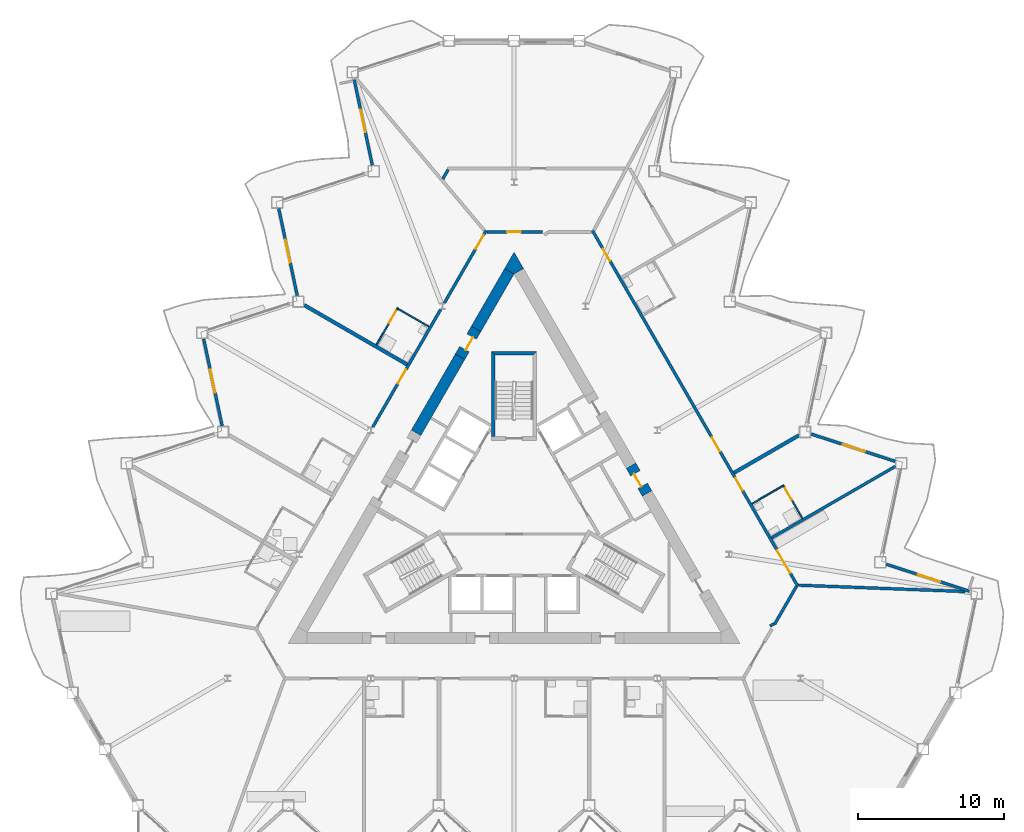
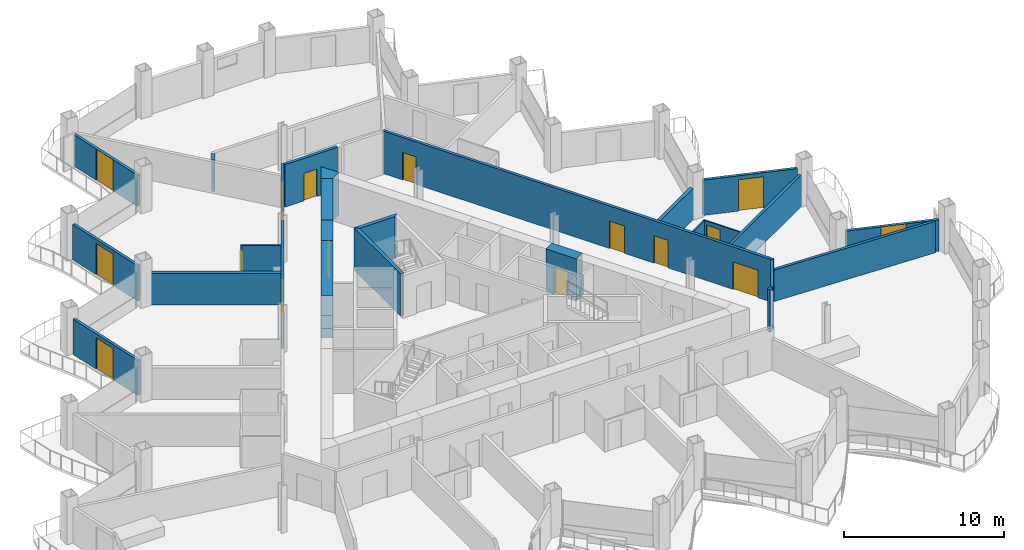
# One storey, part 14 of 23: 27 walls, 16 doors, 16 openings.
"""IFC4 building model written with IfcOpenShell, lengths in metres."""

from ifc_helpers import new_model, si_unit, direction, frame, frame_2d, origin, place, context, subcontext, project, spatial, polyline, rectangle, outline, extrude, material, layer, layer_set, type_object, element, fill, save


model = new_model("IFC4")

# Units and contexts
model_context = context("Model", 3, precision=1e-05, world=origin(), true_north=direction((0.0, 1.0)))
body_context = subcontext(model_context, "Body", "Model", "MODEL_VIEW")
ifc_project = project(units=[si_unit("LENGTHUNIT", "METRE"), si_unit("AREAUNIT", "SQUARE_METRE"), si_unit("VOLUMEUNIT", "CUBIC_METRE"), si_unit("PLANEANGLEUNIT", "RADIAN"), si_unit("MASSUNIT", "GRAM", prefix="KILO")], contexts=[model_context])

# Site, building, storey
site_placement = place(None, origin())
site = spatial("IfcSite", under=ifc_project, at=site_placement, CompositionType="ELEMENT")
building_placement = place(site_placement, origin())
building = spatial("IfcBuilding", under=site, at=building_placement, Name="Cormorant Prow Tower", CompositionType="ELEMENT")
storey_placement = place(building_placement, frame((0.0, 0.0, 208.800048828125)))
storey = spatial("IfcBuildingStorey", under=building, at=storey_placement, Name="L46", CompositionType="ELEMENT", Elevation=208.800048828125)

# Walls
ifc_material_1 = material(Name="Concrete 8000 psi", Category="concrete")
ifc_layer_1 = layer(ifc_material_1, 0.75)
ifc_layer_set_1 = layer_set([ifc_layer_1], Name="Concrete 8000 psi")
wall_type_1 = type_object("IfcWallType", Name="Core shear wall 750", PredefinedType="SHEAR", material=ifc_layer_set_1)
wall_1_placement = place(storey_placement, frame((-3.70849609375, 10.724365234375, 0.0), z_axis=(0.0, 0.0, 1.0), x_axis=(-0.500021737671, -0.866012853171, 0.0)))
element("IfcWall", 1, at=wall_1_placement, inside=storey, type_object=wall_type_1, Name="Core wall", PredefinedType="SHEAR", context=body_context, shape_type="SweptSolid", body=[
    extrude(rectangle(XDim=6.025634765625, YDim=0.75, at=frame_2d((3.0126953125, 0.0))), origin(), (0.0, 0.0, 1.0), 3.25),
])
wall_2_placement = place(storey_placement, frame((-0.32470703125, 16.58544921875, 0.0), z_axis=(0.0, 0.0, 1.0), x_axis=(-0.499984617099, -0.866034284924, 0.0)))
element("IfcWall", 2, at=wall_2_placement, inside=storey, type_object=wall_type_1, Name="Core wall", PredefinedType="SHEAR", context=body_context, shape_type="SweptSolid", body=[
    extrude(rectangle(XDim=4.568115234375, YDim=0.75, at=frame_2d((2.2841796875, 0.0))), origin(), (0.0, 0.0, 1.0), 3.25),
])
wall_3_placement = place(storey_placement, origin())
element("IfcWall", 3, at=wall_3_placement, inside=storey, type_object=wall_type_1, Name="Core wall corner", PredefinedType="SHEAR", context=body_context, shape_type="SweptSolid", body=[
    extrude(outline(polyline([(-0.6494140625, 16.77294921875), (0.0, 17.89794921875), (0.6494140625, 16.77294921875), (0.0, 16.39794921875), (-0.6494140625, 16.77294921875)])), origin(), (0.0, 0.0, 1.0), 3.25),
])

# Wall, opening, door
wall_4_placement = place(storey_placement, frame((9.125244140625, 1.342529296875, 0.0), z_axis=(0.0, 0.0, 1.0), x_axis=(-0.499946605688, 0.86605622881, 0.0)))
wall_4 = element("IfcWall", 4, at=wall_4_placement, inside=storey, type_object=wall_type_1, Name="Core wall door panel", PredefinedType="SHEAR", context=body_context, shape_type="SweptSolid", body=[
    extrude(rectangle(XDim=2.199951171875, YDim=0.75, at=frame_2d((1.10009765625, 0.0))), origin(), (0.0, 0.0, 1.0), 3.25),
])
opening_1_placement = place(wall_4_placement, frame((0.60009765625, 0.0, 0.0)))
opening_1 = element("IfcOpeningElement", 5, at=opening_1_placement, cuts=wall_4, Name="Opening L46-C18", PredefinedType="OPENING", context=body_context, shape_type="SweptSolid", body=[
    extrude(rectangle(XDim=1.0, YDim=2.10009765625, at=frame_2d((0.5, 1.050048828125))), frame((0.0, 0.385009765625, 0.0), z_axis=(0.0, -1.0, 0.0), x_axis=(1.0, 0.0, 0.0)), (0.0, 0.0, 1.0), 0.77001953125),
])
ifc_material_2 = material(Name="Painted steel", Category="steel")
door_type_1 = type_object("IfcDoorType", Name="Service door 1000x2100", OperationType="NOTDEFINED", PredefinedType="DOOR", material=ifc_material_2)
door_1_placement = place(opening_1_placement, origin())
door_1 = element("IfcDoor", 6, at=door_1_placement, inside=storey, type_object=door_type_1, Name="Core door, Housekeeping store", OperationType="SINGLE_SWING_LEFT", OverallHeight=2.10009765625, OverallWidth=1.0, PredefinedType="DOOR", context=body_context, shape_type="SweptSolid", body=[
    extrude(rectangle(XDim=1.0, YDim=2.10009765625, at=frame_2d((0.5, 1.050048828125))), frame((0.0, 0.1298828125, 0.0), z_axis=(0.0, -1.0, 0.0), x_axis=(1.0, 0.0, 0.0)), (0.0, 0.0, 1.0), 0.050048828125),
])
fill(opening_1, door_1)

wall_5_placement = place(storey_placement, frame((-2.608642578125, 12.62939453125, 0.0), z_axis=(0.0, 0.0, 1.0), x_axis=(-0.500077893725, -0.86598042715, 0.0)))
wall_5 = element("IfcWall", 7, at=wall_5_placement, inside=storey, type_object=wall_type_1, Name="Core wall door panel", PredefinedType="SHEAR", context=body_context, shape_type="SweptSolid", body=[
    extrude(rectangle(XDim=2.199951171875, YDim=0.75, at=frame_2d((1.10009765625, 0.0))), origin(), (0.0, 0.0, 1.0), 3.25),
])
opening_2_placement = place(wall_5_placement, frame((0.60009765625, 0.0, 0.0)))
opening_2 = element("IfcOpeningElement", 8, at=opening_2_placement, cuts=wall_5, Name="Opening L46-C21", PredefinedType="OPENING", context=body_context, shape_type="SweptSolid", body=[
    extrude(rectangle(XDim=1.0, YDim=2.10009765625, at=frame_2d((0.5, 1.050048828125))), frame((0.0, 0.385009765625, 0.0), z_axis=(0.0, -1.0, 0.0), x_axis=(1.0, 0.0, 0.0)), (0.0, 0.0, 1.0), 0.77001953125),
])
door_2_placement = place(opening_2_placement, origin())
door_2 = element("IfcDoor", 9, at=door_2_placement, inside=storey, type_object=door_type_1, Name="Core door, Refuse store", OperationType="SINGLE_SWING_RIGHT", OverallHeight=2.10009765625, OverallWidth=1.0, PredefinedType="DOOR", context=body_context, shape_type="SweptSolid", body=[
    extrude(rectangle(XDim=1.0, YDim=2.10009765625, at=frame_2d((0.5, 1.050048828125))), frame((0.0, 0.1298828125, 0.0), z_axis=(0.0, -1.0, 0.0), x_axis=(1.0, 0.0, 0.0)), (0.0, 0.0, 1.0), 0.050048828125),
])
fill(opening_2, door_2)

# Wall, openings, doors
ifc_material_3 = material(Name="Gypsum board corridor wall")
ifc_layer_2 = layer(ifc_material_3, 0.199951171875)
ifc_layer_set_2 = layer_set([ifc_layer_2], Name="Gypsum board corridor wall")
wall_type_2 = type_object("IfcWallType", Name="Corridor wall 200", PredefinedType="PARTITIONING", material=ifc_layer_set_2)
wall_6_placement = place(storey_placement, frame((5.377197265625, 19.384521484375, 0.0), z_axis=(0.0, 0.0, 1.0), x_axis=(0.500000757641, -0.86602496636, 0.0)))
wall_6 = element("IfcWall", 10, at=wall_6_placement, inside=storey, type_object=wall_type_2, Name="Corridor wall", PredefinedType="PARTITIONING", context=body_context, shape_type="SweptSolid", body=[
    extrude(rectangle(XDim=28.19775390625, YDim=0.199951171875, at=frame_2d((14.098876953125, 0.0))), origin(), (0.0, 0.0, 1.0), 3.25),
])
opening_3_placement = place(wall_6_placement, frame((25.3447265625, 0.0, 0.0)))
opening_3 = element("IfcOpeningElement", 11, at=opening_3_placement, cuts=wall_6, Name="Opening L46-F10", PredefinedType="OPENING", context=body_context, shape_type="SweptSolid", body=[
    extrude(rectangle(XDim=1.800048828125, YDim=2.10009765625, at=frame_2d((0.89990234375, 1.050048828125))), frame((0.0, 0.10986328125, 0.0), z_axis=(0.0, -1.0, 0.0), x_axis=(1.0, 0.0, 0.0)), (0.0, 0.0, 1.0), 0.219970703125),
])
opening_4_placement = place(wall_6_placement, frame((19.620849609375, 0.0, 0.0)))
opening_4 = element("IfcOpeningElement", 12, at=opening_4_placement, cuts=wall_6, Name="Opening L46-F11", PredefinedType="OPENING", context=body_context, shape_type="SweptSolid", body=[
    extrude(rectangle(XDim=1.0, YDim=2.10009765625, at=frame_2d((0.5, 1.050048828125))), frame((0.0, 0.10986328125, 0.0), z_axis=(0.0, -1.0, 0.0), x_axis=(1.0, 0.0, 0.0)), (0.0, 0.0, 1.0), 0.219970703125),
])
opening_5_placement = place(wall_6_placement, frame((16.409423828125, 0.0, 0.0)))
opening_5 = element("IfcOpeningElement", 13, at=opening_5_placement, cuts=wall_6, Name="Opening L46-F13", PredefinedType="OPENING", context=body_context, shape_type="SweptSolid", body=[
    extrude(rectangle(XDim=1.10009765625, YDim=2.10009765625, at=frame_2d((0.550048828125, 1.050048828125))), frame((0.0, 0.10986328125, 0.0), z_axis=(0.0, -1.0, 0.0), x_axis=(1.0, 0.0, 0.0)), (0.0, 0.0, 1.0), 0.219970703125),
])
opening_6_placement = place(wall_6_placement, frame((1.4521484375, 0.0, 0.0)))
opening_6 = element("IfcOpeningElement", 14, at=opening_6_placement, cuts=wall_6, Name="Opening L46-F15", PredefinedType="OPENING", context=body_context, shape_type="SweptSolid", body=[
    extrude(rectangle(XDim=0.949951171875, YDim=2.10009765625, at=frame_2d((0.47509765625, 1.050048828125))), frame((0.0, 0.10986328125, 0.0), z_axis=(0.0, -1.0, 0.0), x_axis=(1.0, 0.0, 0.0)), (0.0, 0.0, 1.0), 0.219970703125),
])
ifc_material_4 = material(Name="Timber door leaf", Category="wood")
door_type_2 = type_object("IfcDoorType", Name="Double door 1800x2100", OperationType="DOUBLE_DOOR_SINGLE_SWING", PredefinedType="DOOR", material=ifc_material_4)
door_3_placement = place(opening_3_placement, origin())
door_3 = element("IfcDoor", 15, at=door_3_placement, inside=storey, type_object=door_type_2, Name="Library lounge door", OperationType="DOUBLE_DOOR_SINGLE_SWING", OverallHeight=2.10009765625, OverallWidth=1.800048828125, PredefinedType="DOOR", context=body_context, shape_type="SweptSolid", body=[
    extrude(rectangle(XDim=1.800048828125, YDim=2.10009765625, at=frame_2d((0.89990234375, 1.050048828125))), frame((0.0, 0.02490234375, 0.0), z_axis=(0.0, -1.0, 0.0), x_axis=(1.0, 0.0, 0.0)), (0.0, 0.0, 1.0), 0.050048828125),
])
fill(opening_3, door_3)
ifc_material_5 = material(Name="Timber door leaf", Category="wood")
door_type_3 = type_object("IfcDoorType", Name="Flat or room entrance door 1000x2100", OperationType="NOTDEFINED", PredefinedType="DOOR", material=ifc_material_5)
door_4_placement = place(opening_4_placement, origin())
door_4 = element("IfcDoor", 16, at=door_4_placement, inside=storey, type_object=door_type_3, Name="Guest room door", OperationType="SINGLE_SWING_LEFT", OverallHeight=2.10009765625, OverallWidth=1.0, PredefinedType="DOOR", context=body_context, shape_type="SweptSolid", body=[
    extrude(rectangle(XDim=1.0, YDim=2.10009765625, at=frame_2d((0.5, 1.050048828125))), frame((0.0, 0.02490234375, 0.0), z_axis=(0.0, -1.0, 0.0), x_axis=(1.0, 0.0, 0.0)), (0.0, 0.0, 1.0), 0.050048828125),
])
fill(opening_4, door_4)
ifc_material_6 = material(Name="Timber door leaf", Category="wood")
door_type_4 = type_object("IfcDoorType", Name="Store door 950x2100", OperationType="NOTDEFINED", PredefinedType="DOOR", material=ifc_material_6)
door_5_placement = place(opening_6_placement, origin())
door_5 = element("IfcDoor", 17, at=door_5_placement, inside=storey, type_object=door_type_4, Name="Housekeeping room door", OperationType="SINGLE_SWING_LEFT", OverallHeight=2.10009765625, OverallWidth=0.949951171875, PredefinedType="DOOR", context=body_context, shape_type="SweptSolid", body=[
    extrude(rectangle(XDim=0.949951171875, YDim=2.10009765625, at=frame_2d((0.47509765625, 1.050048828125))), frame((0.0, 0.02490234375, 0.0), z_axis=(0.0, -1.0, 0.0), x_axis=(1.0, 0.0, 0.0)), (0.0, 0.0, 1.0), 0.050048828125),
])
fill(opening_6, door_5)
ifc_material_7 = material(Name="Timber door leaf", Category="wood")
door_type_5 = type_object("IfcDoorType", Name="Suite entrance door 1100x2100", OperationType="NOTDEFINED", PredefinedType="DOOR", material=ifc_material_7)
door_6_placement = place(opening_5_placement, origin())
door_6 = element("IfcDoor", 18, at=door_6_placement, inside=storey, type_object=door_type_5, Name="Executive suite bedroom door", OperationType="SINGLE_SWING_RIGHT", OverallHeight=2.10009765625, OverallWidth=1.10009765625, PredefinedType="DOOR", context=body_context, shape_type="SweptSolid", body=[
    extrude(rectangle(XDim=1.10009765625, YDim=2.10009765625, at=frame_2d((0.550048828125, 1.050048828125))), frame((0.0, 0.02490234375, 0.0), z_axis=(0.0, -1.0, 0.0), x_axis=(1.0, 0.0, 0.0)), (0.0, 0.0, 1.0), 0.050048828125),
])
fill(opening_5, door_6)

# Wall, opening, door
wall_7_placement = place(storey_placement, frame((-9.705078125, 5.88818359375, 0.0), z_axis=(0.0, 0.0, 1.0), x_axis=(0.50000393355, 0.866023132736, 0.0)))
wall_7 = element("IfcWall", 19, at=wall_7_placement, inside=storey, type_object=wall_type_2, Name="Corridor wall", PredefinedType="PARTITIONING", context=body_context, shape_type="SweptSolid", body=[
    extrude(rectangle(XDim=9.3349609375, YDim=0.199951171875, at=frame_2d((4.66748046875, 0.0))), origin(), (0.0, 0.0, 1.0), 3.25),
])
opening_7_placement = place(wall_7_placement, frame((3.464599609375, 0.0, 0.0)))
opening_7 = element("IfcOpeningElement", 20, at=opening_7_placement, cuts=wall_7, Name="Opening L46-F21", PredefinedType="OPENING", context=body_context, shape_type="SweptSolid", body=[
    extrude(rectangle(XDim=1.10009765625, YDim=2.10009765625, at=frame_2d((0.550048828125, 1.050048828125))), frame((0.0, 0.10986328125, 0.0), z_axis=(0.0, -1.0, 0.0), x_axis=(1.0, 0.0, 0.0)), (0.0, 0.0, 1.0), 0.219970703125),
])
door_7_placement = place(opening_7_placement, origin())
door_7 = element("IfcDoor", 21, at=door_7_placement, inside=storey, type_object=door_type_5, Name="Junior suite door", OperationType="SINGLE_SWING_RIGHT", OverallHeight=2.10009765625, OverallWidth=1.10009765625, PredefinedType="DOOR", context=body_context, shape_type="SweptSolid", body=[
    extrude(rectangle(XDim=1.10009765625, YDim=2.10009765625, at=frame_2d((0.550048828125, 1.050048828125))), frame((0.0, 0.02490234375, 0.0), z_axis=(0.0, -1.0, 0.0), x_axis=(1.0, 0.0, 0.0)), (0.0, 0.0, 1.0), 0.050048828125),
])
fill(opening_7, door_7)

wall_8_placement = place(storey_placement, frame((-4.791015625, 14.39990234375, 0.0), z_axis=(0.0, 0.0, 1.0), x_axis=(0.50000762079, 0.866021003874, 0.0)))
wall_8 = element("IfcWall", 22, at=wall_8_placement, inside=storey, type_object=wall_type_2, Name="Corridor wall", PredefinedType="PARTITIONING", context=body_context, shape_type="SweptSolid", body=[
    extrude(rectangle(XDim=5.755859375, YDim=0.199951171875, at=frame_2d((2.8779296875, 0.0))), origin(), (0.0, 0.0, 1.0), 3.25),
])
opening_8_placement = place(wall_8_placement, frame((4.304443359375, 0.0, 0.0)))
opening_8 = element("IfcOpeningElement", 23, at=opening_8_placement, cuts=wall_8, Name="Opening L46-F19", PredefinedType="OPENING", context=body_context, shape_type="SweptSolid", body=[
    extrude(rectangle(XDim=1.10009765625, YDim=2.10009765625, at=frame_2d((0.550048828125, 1.050048828125))), frame((0.0, 0.10986328125, 0.0), z_axis=(0.0, -1.0, 0.0), x_axis=(1.0, 0.0, 0.0)), (0.0, 0.0, 1.0), 0.219970703125),
])
door_8_placement = place(opening_8_placement, origin())
door_8 = element("IfcDoor", 24, at=door_8_placement, inside=storey, type_object=door_type_5, Name="Executive suite bedroom door", OperationType="SINGLE_SWING_RIGHT", OverallHeight=2.10009765625, OverallWidth=1.10009765625, PredefinedType="DOOR", context=body_context, shape_type="SweptSolid", body=[
    extrude(rectangle(XDim=1.10009765625, YDim=2.10009765625, at=frame_2d((0.550048828125, 1.050048828125))), frame((0.0, 0.02490234375, 0.0), z_axis=(0.0, -1.0, 0.0), x_axis=(1.0, 0.0, 0.0)), (0.0, 0.0, 1.0), 0.050048828125),
])
fill(opening_8, door_8)

wall_9_placement = place(storey_placement, frame((-1.863037109375, 19.2978515625, 0.0), z_axis=(0.0, 0.0, 1.0), x_axis=(1.0, 0.0, 0.0)))
wall_9 = element("IfcWall", 25, at=wall_9_placement, inside=storey, type_object=wall_type_2, Name="Corridor wall", PredefinedType="PARTITIONING", context=body_context, shape_type="SweptSolid", body=[
    extrude(rectangle(XDim=3.825927734375, YDim=0.199951171875, at=frame_2d((1.9130859375, 0.0))), origin(), (0.0, 0.0, 1.0), 3.25),
])
opening_9_placement = place(wall_9_placement, frame((1.38623046875, 0.0, 0.0)))
opening_9 = element("IfcOpeningElement", 26, at=opening_9_placement, cuts=wall_9, Name="Opening L46-F17", PredefinedType="OPENING", context=body_context, shape_type="SweptSolid", body=[
    extrude(rectangle(XDim=0.949951171875, YDim=2.10009765625, at=frame_2d((0.47509765625, 1.050048828125))), frame((0.0, 0.10986328125, 0.0), z_axis=(0.0, -1.0, 0.0), x_axis=(1.0, 0.0, 0.0)), (0.0, 0.0, 1.0), 0.219970703125),
])
door_9_placement = place(opening_9_placement, origin())
door_9 = element("IfcDoor", 27, at=door_9_placement, inside=storey, type_object=door_type_4, Name="Guest pantry door", OperationType="SINGLE_SWING_LEFT", OverallHeight=2.10009765625, OverallWidth=0.949951171875, PredefinedType="DOOR", context=body_context, shape_type="SweptSolid", body=[
    extrude(rectangle(XDim=0.949951171875, YDim=2.10009765625, at=frame_2d((0.47509765625, 1.050048828125))), frame((0.0, 0.02490234375, 0.0), z_axis=(0.0, -1.0, 0.0), x_axis=(1.0, 0.0, 0.0)), (0.0, 0.0, 1.0), 0.050048828125),
])
fill(opening_9, door_9)

# Walls
wall_10_placement = place(storey_placement, frame((17.875, -7.635498046875, 0.0), z_axis=(0.0, 0.0, 1.0), x_axis=(0.499952404951, 0.866052881055, 0.0)))
element("IfcWall", 28, at=wall_10_placement, inside=storey, type_object=wall_type_2, Name="Corridor wall", PredefinedType="PARTITIONING", context=body_context, shape_type="SweptSolid", body=[
    extrude(rectangle(XDim=3.002197265625, YDim=0.199951171875, at=frame_2d((1.5009765625, 0.0))), origin(), (0.0, 0.0, 1.0), 3.25),
])
wall_11_placement = place(storey_placement, frame((17.56982421875, -7.75390625, 0.0), z_axis=(0.0, 0.0, 1.0), x_axis=(0.866054481515, 0.499949632511, 0.0)))
element("IfcWall", 29, at=wall_11_placement, inside=storey, type_object=wall_type_2, Name="Corridor wall", PredefinedType="PARTITIONING", context=body_context, shape_type="SweptSolid", body=[
    extrude(rectangle(XDim=0.31005859375, YDim=0.199951171875, at=frame_2d((0.155029296875, 0.0))), origin(), (0.0, 0.0, 1.0), 3.25),
])
ifc_material_8 = material(Name="Gypsum board demising wall")
ifc_layer_3 = layer(ifc_material_8, 0.199951171875)
ifc_layer_set_3 = layer_set([ifc_layer_3], Name="Gypsum board demising wall")
wall_type_3 = type_object("IfcWallType", Name="Demising wall 200", PredefinedType="PARTITIONING", material=ifc_layer_set_3)
wall_12_placement = place(storey_placement, frame((19.52587890625, -4.95263671875, 0.0), z_axis=(0.0, 0.0, 1.0), x_axis=(0.999279155663, -0.037962732475, 0.0)))
element("IfcWall", 30, at=wall_12_placement, inside=storey, type_object=wall_type_3, Name="Demising wall", PredefinedType="PARTITIONING", context=body_context, shape_type="SweptSolid", body=[
    extrude(rectangle(XDim=11.421630859375, YDim=0.199951171875, at=frame_2d((5.7109375, 0.0))), origin(), (0.0, 0.0, 1.0), 2.404052734375),
])
wall_13_placement = place(storey_placement, frame((17.668701171875, -1.705322265625, 0.0), z_axis=(0.0, 0.0, 1.0), x_axis=(0.866032243237, 0.499988153533, 0.0)))
element("IfcWall", 31, at=wall_13_placement, inside=storey, type_object=wall_type_3, Name="Demising wall", PredefinedType="PARTITIONING", context=body_context, shape_type="SweptSolid", body=[
    extrude(rectangle(XDim=9.809814453125, YDim=0.199951171875, at=frame_2d((4.90478515625, 0.0))), origin(), (0.0, 0.0, 1.0), 2.404052734375),
])
wall_14_placement = place(storey_placement, frame((-4.893798828125, 22.921630859375, 0.0), z_axis=(0.0, 0.0, 1.0), x_axis=(0.500084850412, 0.865976409834, 0.0)))
element("IfcWall", 32, at=wall_14_placement, inside=storey, type_object=wall_type_3, Name="Demising wall", PredefinedType="PARTITIONING", context=body_context, shape_type="SweptSolid", body=[
    extrude(rectangle(XDim=0.738525390625, YDim=0.199951171875, at=frame_2d((0.369140625, 0.0))), origin(), (0.0, 0.0, 1.0), 2.404052734375),
])

# Wall, opening, door
ifc_material_9 = material(Name="Gypsum board partition")
ifc_layer_4 = layer(ifc_material_9, 0.10009765625)
ifc_layer_set_4 = layer_set([ifc_layer_4], Name="Gypsum board partition")
wall_type_4 = type_object("IfcWallType", Name="Internal partition 100", PredefinedType="PARTITIONING", material=ifc_layer_set_4)
wall_15_placement = place(storey_placement, frame((-9.439697265625, 11.547607421875, 0.0), z_axis=(0.0, 0.0, 1.0), x_axis=(0.499963291492, 0.866046596414, 0.0)))
wall_15 = element("IfcWall", 33, at=wall_15_placement, inside=storey, type_object=wall_type_4, Name="Internal partition", PredefinedType="PARTITIONING", context=body_context, shape_type="SweptSolid", body=[
    extrude(rectangle(XDim=2.925048828125, YDim=0.10009765625, at=frame_2d((1.46240234375, 0.0))), origin(), (0.0, 0.0, 1.0), 2.404052734375),
])
opening_10_placement = place(wall_15_placement, frame((1.72509765625, 0.0, 0.0)))
opening_10 = element("IfcOpeningElement", 34, at=opening_10_placement, cuts=wall_15, Name="Opening L46-F20", PredefinedType="OPENING", context=body_context, shape_type="SweptSolid", body=[
    extrude(rectangle(XDim=0.949951171875, YDim=2.10009765625, at=frame_2d((0.47509765625, 1.050048828125))), frame((0.0, 0.06005859375, 0.0), z_axis=(0.0, -1.0, 0.0), x_axis=(1.0, 0.0, 0.0)), (0.0, 0.0, 1.0), 0.1201171875),
])
ifc_material_10 = material(Name="Timber door leaf", Category="wood")
door_type_6 = type_object("IfcDoorType", Name="Bathroom door 950x2100", OperationType="NOTDEFINED", PredefinedType="DOOR", material=ifc_material_10)
door_10_placement = place(opening_10_placement, origin())
door_10 = element("IfcDoor", 35, at=door_10_placement, inside=storey, type_object=door_type_6, Name="Executive suite bedroom door", OperationType="SINGLE_SWING_RIGHT", OverallHeight=2.10009765625, OverallWidth=0.949951171875, PredefinedType="DOOR", context=body_context, shape_type="SweptSolid", body=[
    extrude(rectangle(XDim=0.949951171875, YDim=2.10009765625, at=frame_2d((0.47509765625, 1.050048828125))), frame((0.0, 0.02490234375, 0.0), z_axis=(0.0, -1.0, 0.0), x_axis=(1.0, 0.0, 0.0)), (0.0, 0.0, 1.0), 0.050048828125),
])
fill(opening_10, door_10)

wall_16_placement = place(storey_placement, frame((18.458740234375, 1.92626953125, 0.0), z_axis=(0.0, 0.0, 1.0), x_axis=(0.499953715521, -0.866052124492, 0.0)))
wall_16 = element("IfcWall", 36, at=wall_16_placement, inside=storey, type_object=wall_type_4, Name="Internal partition", PredefinedType="PARTITIONING", context=body_context, shape_type="SweptSolid", body=[
    extrude(rectangle(XDim=2.650146484375, YDim=0.10009765625, at=frame_2d((1.3251953125, 0.0))), origin(), (0.0, 0.0, 1.0), 2.404052734375),
])
opening_11_placement = place(wall_16_placement, frame((0.25, 0.0, 0.0)))
opening_11 = element("IfcOpeningElement", 37, at=opening_11_placement, cuts=wall_16, Name="Opening L46-F12", PredefinedType="OPENING", context=body_context, shape_type="SweptSolid", body=[
    extrude(rectangle(XDim=0.949951171875, YDim=2.10009765625, at=frame_2d((0.47509765625, 1.050048828125))), frame((0.0, 0.06005859375, 0.0), z_axis=(0.0, -1.0, 0.0), x_axis=(1.0, 0.0, 0.0)), (0.0, 0.0, 1.0), 0.1201171875),
])
door_11_placement = place(opening_11_placement, origin())
door_11 = element("IfcDoor", 38, at=door_11_placement, inside=storey, type_object=door_type_6, Name="Guest room door", OperationType="SINGLE_SWING_LEFT", OverallHeight=2.10009765625, OverallWidth=0.949951171875, PredefinedType="DOOR", context=body_context, shape_type="SweptSolid", body=[
    extrude(rectangle(XDim=0.949951171875, YDim=2.10009765625, at=frame_2d((0.47509765625, 1.050048828125))), frame((0.0, 0.02490234375, 0.0), z_axis=(0.0, -1.0, 0.0), x_axis=(1.0, 0.0, 0.0)), (0.0, 0.0, 1.0), 0.050048828125),
])
fill(opening_11, door_11)

# Walls
for number, where, z_axis, x_axis, name in (
    (39, (16.31884765625, 0.6328125, 0.0), (0.0, 0.0, 1.0), (0.865989751695, 0.500061746146, 0.0), "Internal partition"),
    (40, (-7.958984375, 14.012451171875, 0.0), (0.0, 0.0, 1.0), (0.866057815567, -0.499943856944, 0.0), "Internal partition"),
):
    element("IfcWall", number, at=place(storey_placement, frame(where, z_axis=z_axis, x_axis=x_axis)), inside=storey, type_object=wall_type_4, Name=name, PredefinedType="PARTITIONING", context=body_context, shape_type="SweptSolid", body=[
        extrude(rectangle(XDim=2.449951171875, YDim=0.10009765625, at=frame_2d((1.22509765625, 0.0))), origin(), (0.0, 0.0, 1.0), 2.404052734375),
    ])
ifc_material_11 = material(Name="Concrete 8000 psi", Category="concrete")
ifc_layer_5 = layer(ifc_material_11, 0.25)
ifc_layer_set_5 = layer_set([ifc_layer_5], Name="Concrete 8000 psi")
wall_type_5 = type_object("IfcWallType", Name="Stair wall 250", PredefinedType="SHEAR", material=ifc_layer_set_5)
wall_17_placement = place(storey_placement, origin())
element("IfcWall", 41, at=wall_17_placement, inside=storey, type_object=wall_type_5, Name="Stair ST3 enclosure wall (end)", PredefinedType="SHEAR", context=body_context, shape_type="SweptSolid", body=[
    extrude(outline(polyline([(1.5439453125, 11.0869140625), (-1.5439453125, 11.0869140625), (-1.2939453125, 10.8369140625), (1.2939453125, 10.8369140625), (1.5439453125, 11.0869140625)])), origin(), (0.0, 0.0, 1.0), 3.25),
])
wall_18_placement = place(storey_placement, origin())
element("IfcWall", 42, at=wall_18_placement, inside=storey, type_object=wall_type_5, Name="Stair ST3 enclosure wall (flank)", PredefinedType="SHEAR", context=body_context, shape_type="SweptSolid", body=[
    extrude(outline(polyline([(-1.2939453125, 10.8369140625), (-1.5439453125, 11.0869140625), (-1.5439453125, 5.23681640625), (-1.2939453125, 5.23681640625), (-1.2939453125, 10.8369140625)])), origin(), (0.0, 0.0, 1.0), 3.25),
])
ifc_material_12 = material(Name="Acoustic gypsum party wall")
ifc_layer_6 = layer(ifc_material_12, 0.25)
ifc_layer_set_6 = layer_set([ifc_layer_6], Name="Acoustic gypsum party wall")
wall_type_6 = type_object("IfcWallType", Name="Suite party wall 250", PredefinedType="PARTITIONING", material=ifc_layer_set_6)
wall_19_placement = place(storey_placement, frame((-14.389892578125, 14.26123046875, 0.0), z_axis=(0.0, 0.0, 1.0), x_axis=(0.86603182394, -0.4999888798, 0.0)))
element("IfcWall", 43, at=wall_19_placement, inside=storey, type_object=wall_type_6, Name="Suite party wall", PredefinedType="PARTITIONING", context=body_context, shape_type="SweptSolid", body=[
    extrude(rectangle(XDim=8.143798828125, YDim=0.25, at=frame_2d((4.07177734375, 0.0))), origin(), (0.0, 0.0, 1.0), 2.404052734375),
])
wall_20_placement = place(storey_placement, frame((15.091064453125, 2.759521484375, 0.0), z_axis=(0.0, 0.0, 1.0), x_axis=(0.866019147368, 0.500010836275, 0.0)))
element("IfcWall", 44, at=wall_20_placement, inside=storey, type_object=wall_type_6, Name="Suite party wall", PredefinedType="PARTITIONING", context=body_context, shape_type="SweptSolid", body=[
    extrude(rectangle(XDim=5.154296875, YDim=0.25, at=frame_2d((2.5771484375, 0.0))), origin(), (0.0, 0.0, 1.0), 2.404052734375),
])

# Wall, opening, door
ifc_material_13 = material(Name="Terracotta", Category="masonry")
ifc_layer_7 = layer(ifc_material_13, 0.199951171875)
ifc_layer_set_7 = layer_set([ifc_layer_7], Name="Terracotta")
wall_type_7 = type_object("IfcWallType", Name="Terracotta jamb wall 200", PredefinedType="SOLIDWALL", material=ifc_layer_set_7)
wall_21_placement = place(storey_placement, frame((31.240966796875, -5.36572265625, 0.0), z_axis=(0.0, 0.0, 1.0), x_axis=(-0.951052669354, 0.309028833792, 0.0)))
wall_21 = element("IfcWall", 45, at=wall_21_placement, inside=storey, type_object=wall_type_7, Name="Terracotta jamb wall ENE01", PredefinedType="SOLIDWALL", context=body_context, shape_type="SweptSolid", body=[
    extrude(rectangle(XDim=5.979736328125, YDim=0.199951171875, at=frame_2d((2.98974609375, 0.0))), origin(), (0.0, 0.0, 1.0), 2.404052734375),
])
opening_12_placement = place(wall_21_placement, frame((2.100830078125, 0.0, 0.0)))
opening_12 = element("IfcOpeningElement", 46, at=opening_12_placement, cuts=wall_21, Name="Opening ED46.06", PredefinedType="OPENING", context=body_context, shape_type="SweptSolid", body=[
    extrude(rectangle(XDim=1.60009765625, YDim=2.39990234375, at=frame_2d((0.800048828125, 1.199951171875))), frame((0.0, 0.10986328125, 0.0), z_axis=(0.0, -1.0, 0.0), x_axis=(1.0, 0.0, 0.0)), (0.0, 0.0, 1.0), 0.219970703125),
])
ifc_material_14 = material(Name="Aluminium 6063-T6", Category="aluminium")
door_type_7 = type_object("IfcDoorType", Name="Balcony door 1600x2400", OperationType="DOUBLE_DOOR_SINGLE_SWING", PredefinedType="DOOR", material=ifc_material_14)
door_12_placement = place(opening_12_placement, origin())
door_12 = element("IfcDoor", 47, at=door_12_placement, inside=storey, type_object=door_type_7, Name="Balcony door ENE01 ED46.06", OperationType="DOUBLE_DOOR_SINGLE_SWING", OverallHeight=2.39990234375, OverallWidth=1.60009765625, PredefinedType="DOOR", context=body_context, shape_type="SweptSolid", body=[
    extrude(rectangle(XDim=1.60009765625, YDim=2.39990234375, at=frame_2d((0.800048828125, 1.199951171875))), frame((0.0, 0.02490234375, 0.0), z_axis=(0.0, -1.0, 0.0), x_axis=(1.0, 0.0, 0.0)), (0.0, 0.0, 1.0), 0.050048828125),
])
fill(opening_12, door_12)

wall_22_placement = place(storey_placement, frame((26.1494140625, 3.543212890625, 0.0), z_axis=(0.0, 0.0, 1.0), x_axis=(-0.951054506932, 0.309023178491, 0.0)))
wall_22 = element("IfcWall", 48, at=wall_22_placement, inside=storey, type_object=wall_type_7, Name="Terracotta jamb wall ENE03", PredefinedType="SOLIDWALL", context=body_context, shape_type="SweptSolid", body=[
    extrude(rectangle(XDim=6.056396484375, YDim=0.199951171875, at=frame_2d((3.0283203125, 0.0))), origin(), (0.0, 0.0, 1.0), 2.700927734375),
])
opening_13_placement = place(wall_22_placement, frame((2.168212890625, 0.0, 0.0)))
opening_13 = element("IfcOpeningElement", 49, at=opening_13_placement, cuts=wall_22, Name="Opening ED46.07", PredefinedType="OPENING", context=body_context, shape_type="SweptSolid", body=[
    extrude(rectangle(XDim=1.60009765625, YDim=2.39990234375, at=frame_2d((0.800048828125, 1.199951171875))), frame((0.0, 0.10986328125, 0.0), z_axis=(0.0, -1.0, 0.0), x_axis=(1.0, 0.0, 0.0)), (0.0, 0.0, 1.0), 0.219970703125),
])
door_13_placement = place(opening_13_placement, origin())
door_13 = element("IfcDoor", 50, at=door_13_placement, inside=storey, type_object=door_type_7, Name="Balcony door ENE03 ED46.07", OperationType="DOUBLE_DOOR_SINGLE_SWING", OverallHeight=2.39990234375, OverallWidth=1.60009765625, PredefinedType="DOOR", context=body_context, shape_type="SweptSolid", body=[
    extrude(rectangle(XDim=1.60009765625, YDim=2.39990234375, at=frame_2d((0.800048828125, 1.199951171875))), frame((0.0, 0.02490234375, 0.0), z_axis=(0.0, -1.0, 0.0), x_axis=(1.0, 0.0, 0.0)), (0.0, 0.0, 1.0), 0.050048828125),
])
fill(opening_13, door_13)

wall_23_placement = place(storey_placement, frame((-10.9736328125, 29.73828125, 0.0), z_axis=(0.0, 0.0, 1.0), x_axis=(0.207888934452, -0.978152437472, 0.0)))
wall_23 = element("IfcWall", 51, at=wall_23_placement, inside=storey, type_object=wall_type_7, Name="Terracotta jamb wall WNW01", PredefinedType="SOLIDWALL", context=body_context, shape_type="SweptSolid", body=[
    extrude(rectangle(XDim=5.998779296875, YDim=0.199951171875, at=frame_2d((2.99951171875, 0.0))), origin(), (0.0, 0.0, 1.0), 2.404052734375),
])
opening_14_placement = place(wall_23_placement, frame((2.100830078125, 0.0, 0.0)))
opening_14 = element("IfcOpeningElement", 52, at=opening_14_placement, cuts=wall_23, Name="Opening ED46.11", PredefinedType="OPENING", context=body_context, shape_type="SweptSolid", body=[
    extrude(rectangle(XDim=1.60009765625, YDim=2.39990234375, at=frame_2d((0.800048828125, 1.199951171875))), frame((0.0, 0.10986328125, 0.0), z_axis=(0.0, -1.0, 0.0), x_axis=(1.0, 0.0, 0.0)), (0.0, 0.0, 1.0), 0.219970703125),
])
door_14_placement = place(opening_14_placement, origin())
door_14 = element("IfcDoor", 53, at=door_14_placement, inside=storey, type_object=door_type_7, Name="Balcony door WNW01 ED46.11", OperationType="DOUBLE_DOOR_SINGLE_SWING", OverallHeight=2.39990234375, OverallWidth=1.60009765625, PredefinedType="DOOR", context=body_context, shape_type="SweptSolid", body=[
    extrude(rectangle(XDim=1.60009765625, YDim=2.39990234375, at=frame_2d((0.800048828125, 1.199951171875))), frame((0.0, 0.02490234375, 0.0), z_axis=(0.0, -1.0, 0.0), x_axis=(1.0, 0.0, 0.0)), (0.0, 0.0, 1.0), 0.050048828125),
])
fill(opening_14, door_14)

wall_24_placement = place(storey_placement, frame((-16.146484375, 20.8896484375, 0.0), z_axis=(0.0, 0.0, 1.0), x_axis=(0.207912864597, -0.978147351238, 0.0)))
wall_24 = element("IfcWall", 54, at=wall_24_placement, inside=storey, type_object=wall_type_7, Name="Terracotta jamb wall WNW03", PredefinedType="SOLIDWALL", context=body_context, shape_type="SweptSolid", body=[
    extrude(rectangle(XDim=6.097900390625, YDim=0.199951171875, at=frame_2d((3.048828125, 0.0))), origin(), (0.0, 0.0, 1.0), 2.700927734375),
])
opening_15_placement = place(wall_24_placement, frame((2.183837890625, 0.0, 0.0)))
opening_15 = element("IfcOpeningElement", 55, at=opening_15_placement, cuts=wall_24, Name="Opening ED46.12", PredefinedType="OPENING", context=body_context, shape_type="SweptSolid", body=[
    extrude(rectangle(XDim=1.60009765625, YDim=2.39990234375, at=frame_2d((0.800048828125, 1.199951171875))), frame((0.0, 0.10986328125, 0.0), z_axis=(0.0, -1.0, 0.0), x_axis=(1.0, 0.0, 0.0)), (0.0, 0.0, 1.0), 0.219970703125),
])
door_15_placement = place(opening_15_placement, origin())
door_15 = element("IfcDoor", 56, at=door_15_placement, inside=storey, type_object=door_type_7, Name="Balcony door WNW03 ED46.12", OperationType="DOUBLE_DOOR_SINGLE_SWING", OverallHeight=2.39990234375, OverallWidth=1.60009765625, PredefinedType="DOOR", context=body_context, shape_type="SweptSolid", body=[
    extrude(rectangle(XDim=1.60009765625, YDim=2.39990234375, at=frame_2d((0.800048828125, 1.199951171875))), frame((0.0, 0.02490234375, 0.0), z_axis=(0.0, -1.0, 0.0), x_axis=(1.0, 0.0, 0.0)), (0.0, 0.0, 1.0), 0.050048828125),
])
fill(opening_15, door_15)

wall_25_placement = place(storey_placement, frame((-21.298828125, 11.944091796875, 0.0), z_axis=(0.0, 0.0, 1.0), x_axis=(0.207912864597, -0.978147351238, 0.0)))
wall_25 = element("IfcWall", 57, at=wall_25_placement, inside=storey, type_object=wall_type_7, Name="Terracotta jamb wall WNW05", PredefinedType="SOLIDWALL", context=body_context, shape_type="SweptSolid", body=[
    extrude(rectangle(XDim=6.097900390625, YDim=0.199951171875, at=frame_2d((3.048828125, 0.0))), origin(), (0.0, 0.0, 1.0), 2.700927734375),
])
opening_16_placement = place(wall_25_placement, frame((2.167724609375, 0.0, 0.0)))
opening_16 = element("IfcOpeningElement", 58, at=opening_16_placement, cuts=wall_25, Name="Opening ED46.13", PredefinedType="OPENING", context=body_context, shape_type="SweptSolid", body=[
    extrude(rectangle(XDim=1.60009765625, YDim=2.39990234375, at=frame_2d((0.800048828125, 1.199951171875))), frame((0.0, 0.10986328125, 0.0), z_axis=(0.0, -1.0, 0.0), x_axis=(1.0, 0.0, 0.0)), (0.0, 0.0, 1.0), 0.219970703125),
])
door_16_placement = place(opening_16_placement, origin())
door_16 = element("IfcDoor", 59, at=door_16_placement, inside=storey, type_object=door_type_7, Name="Balcony door WNW05 ED46.13", OperationType="DOUBLE_DOOR_SINGLE_SWING", OverallHeight=2.39990234375, OverallWidth=1.60009765625, PredefinedType="DOOR", context=body_context, shape_type="SweptSolid", body=[
    extrude(rectangle(XDim=1.60009765625, YDim=2.39990234375, at=frame_2d((0.800048828125, 1.199951171875))), frame((0.0, 0.02490234375, 0.0), z_axis=(0.0, -1.0, 0.0), x_axis=(1.0, 0.0, 0.0)), (0.0, 0.0, 1.0), 0.050048828125),
])
fill(opening_16, door_16)

save(model, "model.ifc")
